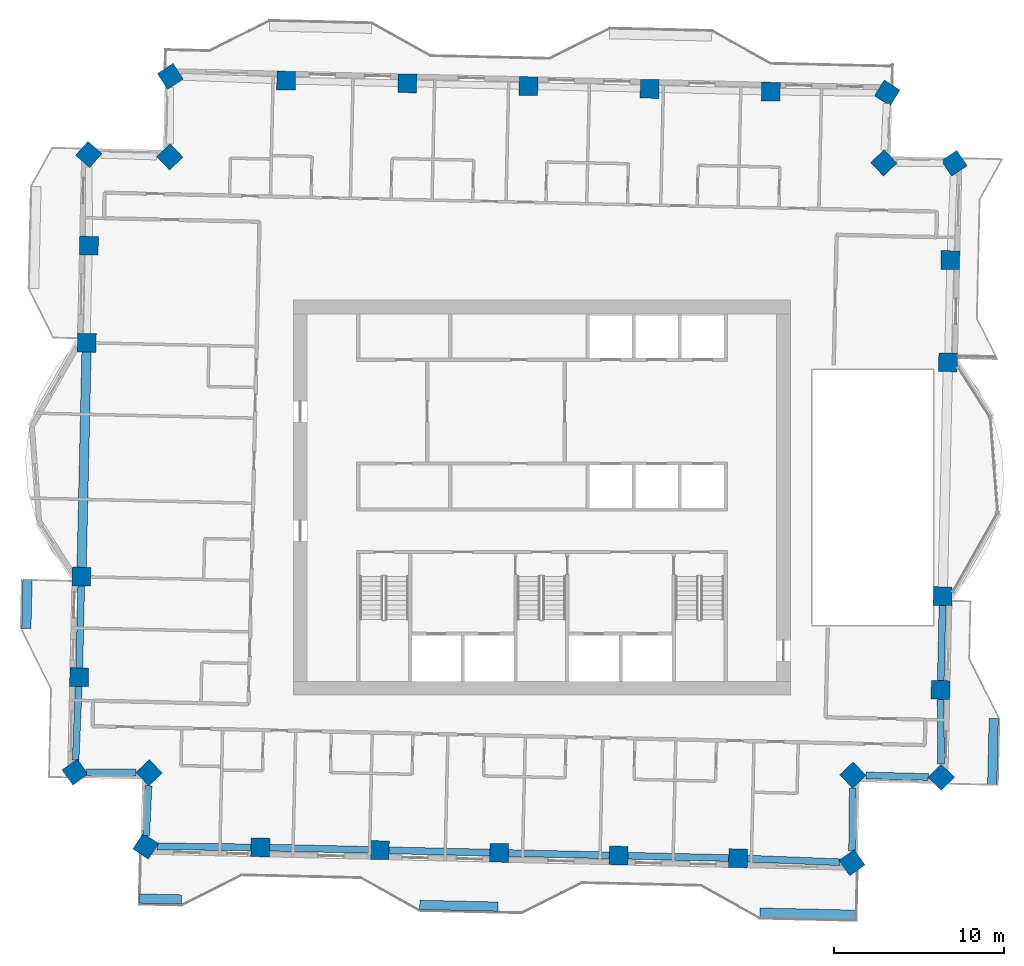
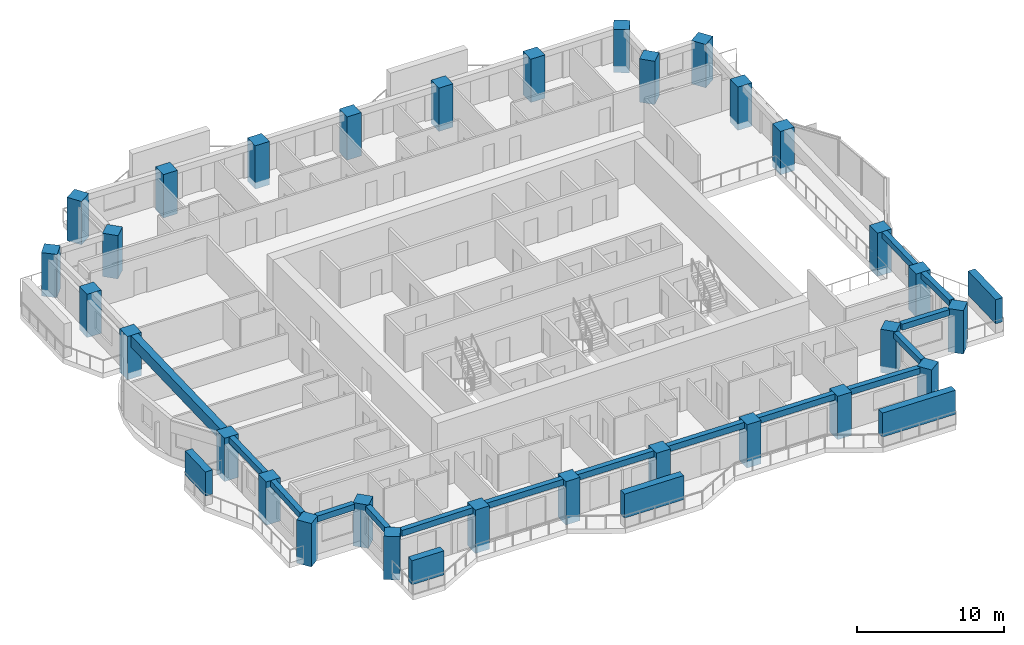
# One storey, part 1 of 16: 30 columns, 15 beams, 5 members.
"""IFC4 building model written with IfcOpenShell, lengths in metres."""

import ifcopenshell
import ifcopenshell.guid

model = None  # the IFC model being written
_history = None  # IfcOwnerHistory: only IFC2X3 demands one
_inside = {}  # id of a spatial element -> (the spatial element, [elements in it])
_under = {}  # id of a project, library or spatial element -> (it, [spatial elements below it])
_declared = {}  # id of a project -> (the project, [libraries it declares])
_typed = {}  # id of a type object -> (the type object, [elements of that type])
_made_of = {}  # id of a material, layer set ... -> (it, [elements and type objects made of it])


def new_model(schema):
    """Start an empty IFC model of exactly this schema.

    Asked for "IFC4X3", IfcOpenShell would pick the latest addendum, in which some entities
    have other attributes; the version numbers below select the first issue.
    IFC2X3 requires an IfcOwnerHistory on every rooted entity: one is made here for all.
    """
    global model, _history
    if schema == "IFC4X3":
        model = ifcopenshell.file(schema_version=(4, 3, 0, 0))
    else:
        model = ifcopenshell.file(schema=schema)
    _inside.clear()
    _under.clear()
    _declared.clear()
    _typed.clear()
    _made_of.clear()
    _history = None
    if model.schema == "IFC2X3":
        org = make("IfcOrganization", Name="unknown")
        user = make(
            "IfcPersonAndOrganization",
            ThePerson=make("IfcPerson", FamilyName="unknown"),
            TheOrganization=org,
        )
        app = make(
            "IfcApplication",
            ApplicationDeveloper=org,
            Version="unknown",
            ApplicationFullName="unknown",
            ApplicationIdentifier="unknown",
        )
        _history = make(
            "IfcOwnerHistory",
            OwningUser=user,
            OwningApplication=app,
            ChangeAction="ADDED",
            CreationDate=0,
        )
    return model


def make(cls, **values):
    """One entity of the class cls with the attributes given. An attribute that is None is left unset."""
    return model.create_entity(
        cls, **{name: value for name, value in values.items() if value is not None}
    )


def rooted(cls, **values):
    """An entity with a GlobalId (a new one), such as an element, a storey or a relation."""
    return make(cls, GlobalId=ifcopenshell.guid.new(), OwnerHistory=_history, **values)


def si_unit(unit_type, name, prefix=None):
    """IfcSIUnit, for example si_unit("LENGTHUNIT", "METRE", prefix="MILLI")."""
    return make("IfcSIUnit", UnitType=unit_type, Prefix=prefix, Name=name)


def assignment(units):
    """IfcUnitAssignment: the units of a project."""
    return None if units is None else make("IfcUnitAssignment", Units=units)


def point(xyz):
    """IfcCartesianPoint."""
    return None if xyz is None else make("IfcCartesianPoint", Coordinates=xyz)


def direction(xyz):
    """IfcDirection."""
    return None if xyz is None else make("IfcDirection", DirectionRatios=xyz)


def frame(location, z_axis=None, x_axis=None):
    """IfcAxis2Placement3D, a coordinate frame: its origin and axes. An axis left out is left unset."""
    return make(
        "IfcAxis2Placement3D",
        Location=point(location),
        Axis=direction(z_axis),
        RefDirection=direction(x_axis),
    )


def frame_2d(location, x_axis=None):
    """IfcAxis2Placement2D, a coordinate frame in the plane: its origin and x axis."""
    return make(
        "IfcAxis2Placement2D", Location=point(location), RefDirection=direction(x_axis)
    )


def origin():
    """The frame at (0, 0, 0) with its axes left unset."""
    return frame((0.0, 0.0, 0.0))


def origin_2d():
    """The frame at (0, 0) in the plane with its x axis left unset."""
    return frame_2d((0.0, 0.0))


def place(relative_to, where):
    """IfcLocalPlacement: puts the frame where relative to a parent placement (None: the world)."""
    return make(
        "IfcLocalPlacement", PlacementRelTo=relative_to, RelativePlacement=where
    )


def context(
    kind, dimensions, precision=None, world=None, true_north=None, identifier=None
):
    """IfcGeometricRepresentationContext, for example the 3D "Model" context."""
    return make(
        "IfcGeometricRepresentationContext",
        ContextIdentifier=identifier,
        ContextType=kind,
        CoordinateSpaceDimension=dimensions,
        Precision=precision,
        WorldCoordinateSystem=world,
        TrueNorth=true_north,
    )


def subcontext(parent, identifier, kind, view, scale=None):
    """IfcGeometricRepresentationSubContext, for example "Body" below "Model"."""
    return make(
        "IfcGeometricRepresentationSubContext",
        ContextIdentifier=identifier,
        ContextType=kind,
        ParentContext=parent,
        TargetScale=scale,
        TargetView=view,
    )


def project(units=None, contexts=None):
    """IfcProject with its units and contexts."""
    return rooted(
        "IfcProject",
        Name="project",
        RepresentationContexts=contexts,
        UnitsInContext=assignment(units),
    )


def spatial(cls, under=None, at=None, **own):
    """A site, building, storey or space (cls), placed at a placement, below another one or the project."""
    s = rooted(cls, ObjectPlacement=at, **own)
    if under is not None:
        _under.setdefault(under.id(), (under, []))[1].append(s)
    return s


def profile(cls, at=None, kind="AREA", **sizes):
    """A parametric profile (cls). Its sizes go by their IFC names, for example OverallWidth=200.0."""
    return make(cls, ProfileType=kind, Position=at, **sizes)


def rectangle(**sizes):
    """IfcRectangleProfileDef."""
    return profile("IfcRectangleProfileDef", **sizes)


def extrude(swept, where, along, depth):
    """IfcExtrudedAreaSolid: the profile swept, set in the frame where, extruded along a direction by depth."""
    return make(
        "IfcExtrudedAreaSolid",
        SweptArea=swept,
        Position=where,
        ExtrudedDirection=direction(along),
        Depth=depth,
    )


def shape(context_of_items, identifier, shape_type, items):
    """IfcShapeRepresentation: the items that make up one representation, for example the "Body"."""
    return make(
        "IfcShapeRepresentation",
        ContextOfItems=context_of_items,
        RepresentationIdentifier=identifier,
        RepresentationType=shape_type,
        Items=items,
    )


def material(Name=None, Category=None):
    """IfcMaterial."""
    return make("IfcMaterial", Name=Name, Category=Category)


def material_profile(
    of_material, cross_section, Name=None, Category=None, Priority=None
):
    """IfcMaterialProfile: a cross section and its material."""
    return make(
        "IfcMaterialProfile",
        Name=Name,
        Material=of_material,
        Profile=cross_section,
        Priority=Priority,
        Category=Category,
    )


def profile_set(profiles, Name=None, composite=None):
    """IfcMaterialProfileSet."""
    return make(
        "IfcMaterialProfileSet",
        Name=Name,
        MaterialProfiles=profiles,
        CompositeProfile=composite,
    )


def made_of(thing, what):
    """Note that an element or type object is made of a material, layer set ...; save() writes the relation."""
    if what is not None:
        _made_of.setdefault(what.id(), (what, []))[1].append(thing)
    return thing


def type_object(cls, material=None, **own):
    """A type object (cls), such as IfcWallType, which elements share."""
    return made_of(rooted(cls, **own), material)


def element(
    cls,
    number,
    at=None,
    inside=None,
    cuts=None,
    type_object=None,
    material=None,
    context=None,
    identifier="Body",
    shape_type=None,
    held_by="IfcProductDefinitionShape",
    body=None,
    shapes=None,
    **own,
):
    """One element of the class cls, such as IfcWall. Its Tag is "e" and its number.

    at: its placement. inside: the storey or other place that contains it. cuts: it is an
    opening in that element (IfcRelVoidsElement). A single representation is given by context,
    identifier, shape_type and body (its items); several are given by shapes. held_by: the class
    of the entity that holds the representations. save() writes the other relations.
    """
    e = rooted(cls, Tag="e%d" % number, ObjectPlacement=at, **own)
    if body is not None:
        shapes = [shape(context, identifier, shape_type, body)]
    if shapes is not None:
        e.Representation = make(held_by, Representations=shapes)
    if inside is not None:
        _inside.setdefault(inside.id(), (inside, []))[1].append(e)
    if cuts is not None:
        rooted(
            "IfcRelVoidsElement", RelatingBuildingElement=cuts, RelatedOpeningElement=e
        )
    if type_object is not None:
        _typed.setdefault(type_object.id(), (type_object, []))[1].append(e)
    return made_of(e, material)


def aggregate(whole, parts):
    """IfcRelAggregates: a whole, such as a stair, and the parts it consists of."""
    return rooted("IfcRelAggregates", RelatingObject=whole, RelatedObjects=parts)


def save(model, path):
    """Write the relations noted so far, then the file.

    IfcRelAggregates (storeys below a building ...), IfcRelContainedInSpatialStructure (elements
    in a storey), IfcRelDefinesByType, IfcRelAssociatesMaterial and IfcRelDeclares: one each for
    every whole, place, type object, material and project.
    """
    for whole, parts in _under.values():
        aggregate(whole, parts)
    for where, things in _inside.values():
        rooted(
            "IfcRelContainedInSpatialStructure",
            RelatedElements=things,
            RelatingStructure=where,
        )
    for kind, things in _typed.values():
        rooted("IfcRelDefinesByType", RelatedObjects=things, RelatingType=kind)
    for what, things in _made_of.values():
        rooted("IfcRelAssociatesMaterial", RelatedObjects=things, RelatingMaterial=what)
    for by, libraries in _declared.values():
        rooted("IfcRelDeclares", RelatingContext=by, RelatedDefinitions=libraries)
    model.write(path)


model = new_model("IFC4")

# Units and contexts
model_context = context("Model", 3, precision=1e-05, world=origin(), true_north=direction((0.0, 1.0)))
body_context = subcontext(model_context, "Body", "Model", "MODEL_VIEW")
ifc_project = project(units=[si_unit("LENGTHUNIT", "METRE"), si_unit("AREAUNIT", "SQUARE_METRE"), si_unit("VOLUMEUNIT", "CUBIC_METRE"), si_unit("PLANEANGLEUNIT", "RADIAN"), si_unit("MASSUNIT", "GRAM", prefix="KILO")], contexts=[model_context])

# Site, building, storey
site_placement = place(None, origin())
site = spatial("IfcSite", under=ifc_project, at=site_placement, CompositionType="ELEMENT")
building_placement = place(site_placement, origin())
building = spatial("IfcBuilding", under=site, at=building_placement, Name="Mangrove Gate Tower", CompositionType="ELEMENT")
storey_placement = place(building_placement, frame((0.0, 0.0, 215.89990234375)))
storey = spatial("IfcBuildingStorey", under=building, at=storey_placement, Name="L55", CompositionType="ELEMENT", Elevation=215.89990234375)

# Columns
ifc_material_1 = material(Name="Concrete C60/75", Category="concrete")
ifc_material_profile_1 = material_profile(ifc_material_1, rectangle(XDim=1.10009765625, YDim=1.10009765625, at=origin_2d()))
ifc_profile_set_1 = profile_set([ifc_material_profile_1], Name="Concrete C60/75")
column_type = type_object("IfcColumnType", Name="Column RC 1100x1100 C60/75", PredefinedType="COLUMN", material=ifc_profile_set_1)
for number, where, z_axis, x_axis, name in (
    (1, (-27.071044921875, -4.6494140625, -0.5498046875), (0.0, 0.0, 1.0), (-0.02268213383, -0.999742727308, 0.0), "Column L55 W05"),
    (2, (-27.205078125, -10.5595703125, -0.5498046875), (0.0, 0.0, 1.0), (-0.022750219004, -0.999741180274, 0.0), "Column L55 W06"),
    (3, (-27.44140625, -16.139892578125, -0.5498046875), (0.0, 0.0, 1.0), (0.578578159923, -0.815626944663, 0.0), "Column L55 W07"),
    (4, (-23.09326171875, -16.177978515625, -0.5498046875), (0.0, 0.0, 1.0), (0.690854032309, -0.722994264183, 0.0), "Column L55 W08"),
    (5, (-23.28857421875, -20.49755859375, -0.5498046875), (0.0, 0.0, 1.0), (0.835228982997, -0.549902305834, 0.0), "Column L55 S01"),
    (6, (-16.555419921875, -20.566162109375, -0.5498046875), (0.0, 0.0, 1.0), (0.999742166043, -0.022706858776, 0.0), "Column L55 S02"),
    (7, (-9.533447265625, -20.72607421875, -0.5498046875), (0.0, 0.0, 1.0), (0.999742129581, -0.022708464065, 0.0), "Column L55 S03"),
    (8, (-2.511474609375, -20.88525390625, -0.5498046875), (0.0, 0.0, 1.0), (0.999743742918, -0.022637325283, 0.0), "Column L55 S04"),
    (9, (4.510498046875, -21.044189453125, -0.5498046875), (0.0, 0.0, 1.0), (0.999742129581, -0.022708464065, 0.0), "Column L55 S05"),
    (10, (11.532470703125, -21.2041015625, -0.5498046875), (0.0, 0.0, 1.0), (0.999742166043, -0.022706858776, 0.0), "Column L55 S06"),
    (11, (18.225830078125, -21.463623046875, -0.5498046875), (0.0, 0.0, 1.0), (0.817005906944, 0.576629298612, 0.0), "Column L55 S07"),
    (12, (18.281005859375, -16.31640625, -0.5498046875), (0.0, 0.0, 1.0), (0.722904645442, 0.690947808158, 0.0), "Column L55 E01"),
    (13, (23.467529296875, -16.445556640625, -0.5498046875), (0.0, 0.0, 1.0), (0.702472771276, 0.711710619294, 0.0), "Column L55 E02"),
    (14, (23.43408203125, -11.30859375, -0.5498046875), (0.0, 0.0, 1.0), (0.022678138054, 0.999742817956, 0.0), "Column L55 E03"),
    (15, (23.55908203125, -5.798583984375, -0.5498046875), (0.0, 0.0, 1.0), (0.022686024913, 0.999742639019, 0.0), "Column L55 E04"),
    (16, (23.87109375, 7.949462890625, -0.5498046875), (0.0, 0.0, 1.0), (0.022719107826, 0.999741887759, 0.0), "Column L55 E05"),
    (17, (24.008056640625, 13.95947265625, -0.5498046875), (0.0, 0.0, 1.0), (0.022704398496, 0.99974222192, 0.0), "Column L55 E06"),
    (18, (24.236083984375, 19.6533203125, -0.5498046875), (0.0, 0.0, 1.0), (-0.553976303186, 0.832532435109, 0.0), "Column L55 E07"),
    (19, (20.097412109375, 19.673095703125, -0.5498046875), (0.0, 0.0, 1.0), (-0.69093208713, 0.722919671176, 0.0), "Column L55 E08"),
    (20, (20.300048828125, 23.78466796875, -0.5498046875), (0.0, 0.0, 1.0), (-0.849671924518, 0.527311692157, 0.0), "Column L55 N01"),
    (21, (13.45556640625, 23.8642578125, -0.5498046875), (0.0, 0.0, 1.0), (-0.999741400599, 0.022740534932, 0.0), "Column L55 N02"),
    (22, (6.33349609375, 24.026123046875, -0.5498046875), (0.0, 0.0, 1.0), (-0.999742993665, 0.022670390785, 0.0), "Column L55 N03"),
    (23, (-0.78857421875, 24.187255859375, -0.5498046875), (0.0, 0.0, 1.0), (-0.999742993665, 0.022670390785, 0.0), "Column L55 N04"),
    (24, (-7.910400390625, 24.34912109375, -0.5498046875), (0.0, 0.0, 1.0), (-0.999742993665, 0.022670390785, 0.0), "Column L55 N05"),
    (25, (-15.032470703125, 24.51025390625, -0.5498046875), (0.0, 0.0, 1.0), (-0.999742993665, 0.022670390785, 0.0), "Column L55 N06"),
    (26, (-21.84521484375, 24.759033203125, -0.5498046875), (0.0, 0.0, 1.0), (-0.841786903105, -0.539809975603, 0.0), "Column L55 N07"),
    (27, (-21.87109375, 20.025390625, -0.5498046875), (0.0, 0.0, 1.0), (-0.722980880026, -0.690868038859, 0.0), "Column L55 W01"),
    (28, (-26.636962890625, 20.168701171875, -0.5498046875), (0.0, 0.0, 1.0), (-0.660570488369, -0.750764030769, 0.0), "Column L55 W02"),
    (29, (-26.630126953125, 14.80859375, -0.5498046875), (0.0, 0.0, 1.0), (-0.022671699445, -0.999742963988, 0.0), "Column L55 W03"),
    (30, (-26.759033203125, 9.0986328125, -0.5498046875), (0.0, 0.0, 1.0), (-0.022658386004, -0.999743265816, 0.0), "Column L55 W04"),
):
    element("IfcColumn", number, at=place(storey_placement, frame(where, z_axis=z_axis, x_axis=x_axis)), inside=storey, type_object=column_type, Name=name, PredefinedType="COLUMN", context=body_context, shape_type="SweptSolid", body=[
        extrude(rectangle(XDim=1.10009765625, YDim=1.10009765625, at=origin_2d()), origin(), (0.0, 0.0, 1.0), 3.599853515625),
    ])

# Members
ifc_material_2 = material(Name="Planting on aluminium trellis", Category="aluminium")
ifc_material_profile_2 = material_profile(ifc_material_2, rectangle(XDim=0.550048828125, YDim=2.0, at=origin_2d()))
ifc_profile_set_2 = profile_set([ifc_material_profile_2], Name="Planting on aluminium trellis")
member_type = type_object("IfcMemberType", Name="Balcony greenery screen 550x2000", PredefinedType="USERDEFINED", material=ifc_profile_set_2)
member_1_placement = place(storey_placement, frame((26.47412109375, -16.89208984375, 1.800048828125), z_axis=(0.022535131088, 0.999746051689, 0.0), x_axis=(-0.999746051689, 0.022535131088, 0.0)))
element("IfcMember", 31, at=member_1_placement, inside=storey, type_object=member_type, Name="GREEN SCREEN L55 E0.1", ObjectType="PLANTING", PredefinedType="USERDEFINED", context=body_context, shape_type="SweptSolid", body=[
    extrude(rectangle(XDim=0.550048828125, YDim=2.0, at=origin_2d()), origin(), (0.0, 0.0, 1.0), 3.900146484375),
])
member_2_placement = place(storey_placement, frame((-30.306884765625, -7.700927734375, 1.800048828125), z_axis=(0.022929749512, 0.99973707873, 0.0), x_axis=(-0.99973707873, 0.022929749512, 0.0)))
element("IfcMember", 32, at=member_2_placement, inside=storey, type_object=member_type, Name="GREEN SCREEN L55 W1.1", ObjectType="PLANTING", PredefinedType="USERDEFINED", context=body_context, shape_type="SweptSolid", body=[
    extrude(rectangle(XDim=0.550048828125, YDim=2.0, at=origin_2d()), origin(), (0.0, 0.0, 1.0), 2.874755859375),
])
member_3_placement = place(storey_placement, frame((-23.64990234375, -23.571044921875, 1.800048828125), z_axis=(0.999744125264, -0.022620433227, 0.0), x_axis=(0.022620433227, 0.999744125264, 0.0)))
element("IfcMember", 33, at=member_3_placement, inside=storey, type_object=member_type, Name="GREEN SCREEN L55 S0.1", ObjectType="PLANTING", PredefinedType="USERDEFINED", context=body_context, shape_type="SweptSolid", body=[
    extrude(rectangle(XDim=0.550048828125, YDim=2.0, at=origin_2d()), origin(), (0.0, 0.0, 1.0), 2.4716796875),
])
member_4_placement = place(storey_placement, frame((-7.181884765625, -23.945068359375, 1.800048828125), z_axis=(0.999744268886, -0.022614084774, 0.0), x_axis=(0.022614084774, 0.999744268886, 0.0)))
element("IfcMember", 34, at=member_4_placement, inside=storey, type_object=member_type, Name="GREEN SCREEN L55 S0.2", ObjectType="PLANTING", PredefinedType="USERDEFINED", context=body_context, shape_type="SweptSolid", body=[
    extrude(rectangle(XDim=0.550048828125, YDim=2.0, at=origin_2d()), origin(), (0.0, 0.0, 1.0), 4.59912109375),
])
member_5_placement = place(storey_placement, frame((12.81201171875, -24.39892578125, 1.800048828125), z_axis=(0.999744671896, -0.022596261096, 0.0), x_axis=(0.022596261096, 0.999744671896, 0.0)))
element("IfcMember", 35, at=member_5_placement, inside=storey, type_object=member_type, Name="GREEN SCREEN L55 S1.1", ObjectType="PLANTING", PredefinedType="USERDEFINED", context=body_context, shape_type="SweptSolid", body=[
    extrude(rectangle(XDim=0.550048828125, YDim=2.0, at=origin_2d()), origin(), (0.0, 0.0, 1.0), 5.67236328125),
])

# Beams
ifc_material_3 = material(Name="Concrete C50/60", Category="concrete")
ifc_material_profile_3 = material_profile(ifc_material_3, rectangle(XDim=0.39990234375, YDim=0.5, at=origin_2d()))
ifc_profile_set_3 = profile_set([ifc_material_profile_3], Name="Concrete C50/60")
beam_type_1 = type_object("IfcBeamType", Name="Edge beam RC 400x500 C50/60", PredefinedType="BEAM", material=ifc_profile_set_3)
beam_1_placement = place(storey_placement, frame((-27.08349609375, -5.19921875, 2.800048828125), z_axis=(-0.022679913805, -0.999742777673, 0.0), x_axis=(0.999742777673, -0.022679913805, 0.0)))
element("IfcBeam", 36, at=beam_1_placement, inside=storey, type_object=beam_type_1, Name="Edge beam L55 00", PredefinedType="BEAM", context=body_context, shape_type="SweptSolid", body=[
    extrude(rectangle(XDim=0.39990234375, YDim=0.5, at=origin_2d()), origin(), (0.0, 0.0, 1.0), 4.811767578125),
])
beam_2_placement = place(storey_placement, frame((-27.228515625, -11.109130859375, 2.800048828125), z_axis=(-0.042253030375, -0.999106941936, 0.0), x_axis=(0.999106941936, -0.042253030375, 0.0)))
element("IfcBeam", 37, at=beam_2_placement, inside=storey, type_object=beam_type_1, Name="Edge beam L55 01", PredefinedType="BEAM", context=body_context, shape_type="SweptSolid", body=[
    extrude(rectangle(XDim=0.39990234375, YDim=0.5, at=origin_2d()), origin(), (0.0, 0.0, 1.0), 4.33935546875),
])
beam_3_placement = place(storey_placement, frame((-26.762939453125, -16.145751953125, 2.800048828125), z_axis=(0.999960996319, -0.008832091572, 0.0), x_axis=(0.008832091572, 0.999960996319, 0.0)))
element("IfcBeam", 38, at=beam_3_placement, inside=storey, type_object=beam_type_1, Name="Edge beam L55 02", PredefinedType="BEAM", context=body_context, shape_type="SweptSolid", body=[
    extrude(rectangle(XDim=0.39990234375, YDim=0.5, at=origin_2d()), origin(), (0.0, 0.0, 1.0), 2.90234375),
])
beam_4_placement = place(storey_placement, frame((-23.127685546875, -16.938232421875, 2.800048828125), z_axis=(-0.045187907282, -0.998978504792, 0.0), x_axis=(0.998978504792, -0.045187907282, 0.0)))
element("IfcBeam", 39, at=beam_4_placement, inside=storey, type_object=beam_type_1, Name="Edge beam L55 03", PredefinedType="BEAM", context=body_context, shape_type="SweptSolid", body=[
    extrude(rectangle(XDim=0.39990234375, YDim=0.5, at=origin_2d()), origin(), (0.0, 0.0, 1.0), 2.9228515625),
])
beam_5_placement = place(storey_placement, frame((-22.634521484375, -20.50439453125, 2.800048828125), z_axis=(0.999948433136, -0.010155346828, 0.0), x_axis=(0.010155346828, 0.999948433136, 0.0)))
element("IfcBeam", 40, at=beam_5_placement, inside=storey, type_object=beam_type_1, Name="Edge beam L55 04", PredefinedType="BEAM", context=body_context, shape_type="SweptSolid", body=[
    extrude(rectangle(XDim=0.39990234375, YDim=0.5, at=origin_2d()), origin(), (0.0, 0.0, 1.0), 5.529296875),
])
beam_6_placement = place(storey_placement, frame((-16.005615234375, -20.57861328125, 2.800048828125), z_axis=(0.999740258675, -0.022790681963, 0.0), x_axis=(0.022790681963, 0.999740258675, 0.0)))
element("IfcBeam", 41, at=beam_6_placement, inside=storey, type_object=beam_type_1, Name="Edge beam L55 05", PredefinedType="BEAM", context=body_context, shape_type="SweptSolid", body=[
    extrude(rectangle(XDim=0.39990234375, YDim=0.5, at=origin_2d()), origin(), (0.0, 0.0, 1.0), 5.923828125),
])
beam_7_placement = place(storey_placement, frame((-8.983642578125, -20.738525390625, 2.800048828125), z_axis=(0.999743046941, -0.022668041218, 0.0), x_axis=(0.022668041218, 0.999743046941, 0.0)))
element("IfcBeam", 42, at=beam_7_placement, inside=storey, type_object=beam_type_1, Name="Edge beam L55 06", PredefinedType="BEAM", context=body_context, shape_type="SweptSolid", body=[
    extrude(rectangle(XDim=0.39990234375, YDim=0.5, at=origin_2d()), origin(), (0.0, 0.0, 1.0), 5.923583984375),
])
for number, where, z_axis, x_axis, name in (
    (43, (-1.961669921875, -20.897705078125, 2.800048828125), (0.999744001208, -0.022625915437, 0.0), (0.022625915437, 0.999744001208, 0.0), "Edge beam L55 07"),
    (44, (5.060302734375, -21.056640625, 2.800048828125), (0.999740258675, -0.022790681963, 0.0), (0.022790681963, 0.999740258675, 0.0), "Edge beam L55 08"),
):
    element("IfcBeam", number, at=place(storey_placement, frame(where, z_axis=z_axis, x_axis=x_axis)), inside=storey, type_object=beam_type_1, Name=name, PredefinedType="BEAM", context=body_context, shape_type="SweptSolid", body=[
        extrude(rectangle(XDim=0.39990234375, YDim=0.5, at=origin_2d()), origin(), (0.0, 0.0, 1.0), 5.923828125),
    ])
beam_8_placement = place(storey_placement, frame((12.08203125, -21.225341796875, 2.800048828125), z_axis=(0.999248829051, -0.038752775905, 0.0), x_axis=(0.038752775905, 0.999248829051, 0.0)))
element("IfcBeam", 45, at=beam_8_placement, inside=storey, type_object=beam_type_1, Name="Edge beam L55 09", PredefinedType="BEAM", context=body_context, shape_type="SweptSolid", body=[
    extrude(rectangle(XDim=0.39990234375, YDim=0.5, at=origin_2d()), origin(), (0.0, 0.0, 1.0), 5.455810546875),
])
beam_9_placement = place(storey_placement, frame((18.233154296875, -20.785400390625, 2.800048828125), z_axis=(0.010688225551, 0.999942879286, 0.0), x_axis=(-0.999942879286, 0.010688225551, 0.0)))
element("IfcBeam", 46, at=beam_9_placement, inside=storey, type_object=beam_type_1, Name="Edge beam L55 10", PredefinedType="BEAM", context=body_context, shape_type="SweptSolid", body=[
    extrude(rectangle(XDim=0.39990234375, YDim=0.5, at=origin_2d()), origin(), (0.0, 0.0, 1.0), 3.700439453125),
])
beam_10_placement = place(storey_placement, frame((19.056640625, -16.335693359375, 2.800048828125), z_axis=(0.999690059684, -0.024895472844, 0.0), x_axis=(0.024895472844, 0.999690059684, 0.0)))
element("IfcBeam", 47, at=beam_10_placement, inside=storey, type_object=beam_type_1, Name="Edge beam L55 11", PredefinedType="BEAM", context=body_context, shape_type="SweptSolid", body=[
    extrude(rectangle(XDim=0.39990234375, YDim=0.5, at=origin_2d()), origin(), (0.0, 0.0, 1.0), 3.657958984375),
])
beam_11_placement = place(storey_placement, frame((23.46240234375, -15.66796875, 2.800048828125), z_axis=(-0.006472978533, 0.999979050055, 0.0), x_axis=(-0.999979050055, -0.006472978533, 0.0)))
element("IfcBeam", 48, at=beam_11_placement, inside=storey, type_object=beam_type_1, Name="Edge beam L55 12", PredefinedType="BEAM", context=body_context, shape_type="SweptSolid", body=[
    extrude(rectangle(XDim=0.39990234375, YDim=0.5, at=origin_2d()), origin(), (0.0, 0.0, 1.0), 3.809326171875),
])
beam_12_placement = place(storey_placement, frame((23.446533203125, -10.7587890625, 2.800048828125), z_axis=(0.022689977593, 0.999742549318, 0.0), x_axis=(-0.999742549318, 0.022689977593, 0.0)))
element("IfcBeam", 49, at=beam_12_placement, inside=storey, type_object=beam_type_1, Name="Edge beam L55 13", PredefinedType="BEAM", context=body_context, shape_type="SweptSolid", body=[
    extrude(rectangle(XDim=0.39990234375, YDim=0.5, at=origin_2d()), origin(), (0.0, 0.0, 1.0), 4.41162109375),
])
ifc_material_4 = material(Name="Concrete C50/60", Category="concrete")
ifc_material_profile_4 = material_profile(ifc_material_4, rectangle(XDim=0.550048828125, YDim=0.949951171875, at=origin_2d()))
ifc_profile_set_4 = profile_set([ifc_material_profile_4], Name="Concrete C50/60")
beam_type_2 = type_object("IfcBeamType", Name="Edge beam RC 550x950 C50/60", PredefinedType="BEAM", material=ifc_profile_set_4)
beam_13_placement = place(storey_placement, frame((-26.771728515625, 8.548583984375, 2.5751953125), z_axis=(-0.02267450167, -0.999742900437, 0.0), x_axis=(0.999742900437, -0.02267450167, 0.0)))
element("IfcBeam", 50, at=beam_13_placement, inside=storey, type_object=beam_type_2, Name="Edge beam L55 29", PredefinedType="BEAM", context=body_context, shape_type="SweptSolid", body=[
    extrude(rectangle(XDim=0.550048828125, YDim=0.949951171875, at=origin_2d()), origin(), (0.0, 0.0, 1.0), 12.6513671875),
])

save(model, "model.ifc")
